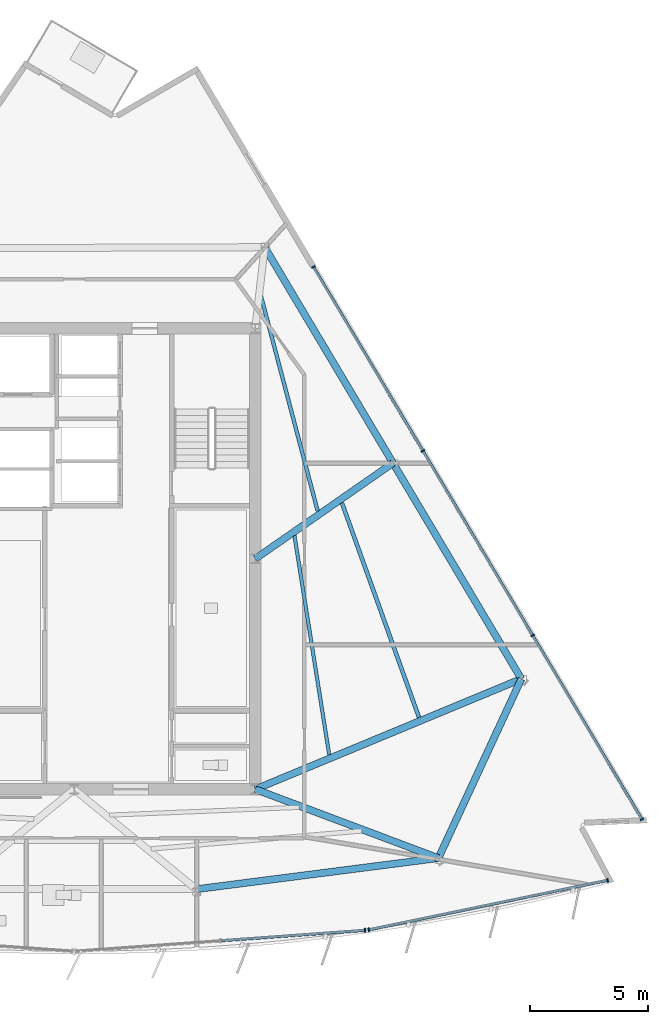
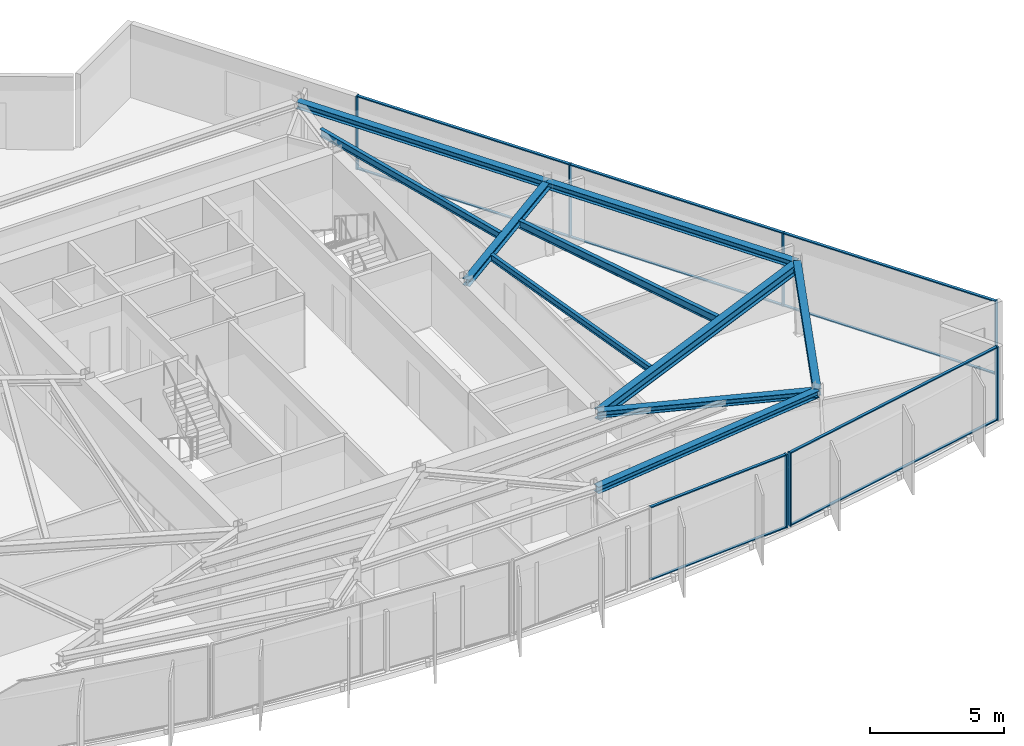
# One storey, part 5 of 12: 17 members, 10 beams, 3 elements without a shape of their own.
"""IFC4 building model written with IfcOpenShell, lengths in metres."""

from ifc_helpers import new_model, si_unit, direction, frame, origin, origin_2d, place, context, subcontext, project, spatial, rectangle, i_section, extrude, material, material_profile, profile_set, type_object, element, aggregate, save


model = new_model("IFC4")

# Units and contexts
model_context = context("Model", 3, precision=1e-05, world=origin(), true_north=direction((0.0, 1.0)))
body_context = subcontext(model_context, "Body", "Model", "MODEL_VIEW")
ifc_project = project(units=[si_unit("LENGTHUNIT", "METRE"), si_unit("AREAUNIT", "SQUARE_METRE"), si_unit("VOLUMEUNIT", "CUBIC_METRE"), si_unit("PLANEANGLEUNIT", "RADIAN"), si_unit("MASSUNIT", "GRAM", prefix="KILO")], contexts=[model_context])

# Site, building, storey
site_placement = place(None, origin())
site = spatial("IfcSite", under=ifc_project, at=site_placement, CompositionType="ELEMENT")
building_placement = place(site_placement, origin())
building = spatial("IfcBuilding", under=site, at=building_placement, Name="Savorim Split Tower", CompositionType="ELEMENT")
storey_placement = place(building_placement, frame((0.0, 0.0, 268.800048828125)))
storey = spatial("IfcBuildingStorey", under=building, at=storey_placement, Name="L71", CompositionType="ELEMENT", Elevation=268.800048828125)

# Beams
ifc_material_1 = material(Name="Steel S355", Category="steel")
ifc_material_profile_1 = material_profile(ifc_material_1, i_section(OverallWidth=0.14990234375, OverallDepth=0.300048828125, WebThickness=0.007080078125, FlangeThickness=0.0107421875, FilletRadius=0.014892578125, at=origin_2d()), Name="IPE 300")
ifc_profile_set_1 = profile_set([ifc_material_profile_1], Name="Steel S355")
beam_type_1 = type_object("IfcBeamType", Name="BM-JST-IPE300", PredefinedType="JOIST", material=ifc_profile_set_1)
beam_1_placement = place(storey_placement, frame((10.841796875, -7.92822265625, 3.199951171875), z_axis=(-0.156775163461, 0.987634319028, 0.0), x_axis=(-0.987634319028, -0.156775163461, 0.0)))
element("IfcBeam", 1, at=beam_1_placement, inside=storey, type_object=beam_type_1, Name="L71 Secondary Floor Joist JS-08", PredefinedType="JOIST", context=body_context, shape_type="SweptSolid", body=[
    extrude(i_section(OverallWidth=0.14990234375, OverallDepth=0.300048828125, WebThickness=0.007080078125, FlangeThickness=0.0107421875, FilletRadius=0.014892578125, at=origin_2d()), origin(), (0.0, 0.0, 1.0), 9.426025390625),
])
ifc_material_profile_2 = material_profile(ifc_material_1, i_section(OverallWidth=0.159912109375, OverallDepth=0.330078125, WebThickness=0.007568359375, FlangeThickness=0.011474609375, FilletRadius=0.01806640625, at=origin_2d()), Name="IPE 330")
ifc_profile_set_2 = profile_set([ifc_material_profile_2], Name="Steel S355")
beam_type_2 = type_object("IfcBeamType", Name="BM-JST-IPE330", PredefinedType="JOIST", material=ifc_profile_set_2)
beam_2_placement = place(storey_placement, frame((10.351806640625, 2.426513671875, 3.18505859375), z_axis=(-0.255115630211, 0.966910551821, 0.0), x_axis=(-0.966910551821, -0.255115630211, 0.0)))
element("IfcBeam", 2, at=beam_2_placement, inside=storey, type_object=beam_type_2, Name="L71 Secondary Floor Joist JS-07", PredefinedType="JOIST", context=body_context, shape_type="SweptSolid", body=[
    extrude(i_section(OverallWidth=0.159912109375, OverallDepth=0.330078125, WebThickness=0.007568359375, FlangeThickness=0.011474609375, FilletRadius=0.01806640625, at=origin_2d()), origin(), (0.0, 0.0, 1.0), 9.51904296875),
])
ifc_material_profile_3 = material_profile(ifc_material_1, i_section(OverallWidth=0.169921875, OverallDepth=0.360107421875, WebThickness=0.008056640625, FlangeThickness=0.0126953125, FilletRadius=0.01806640625, at=origin_2d()), Name="IPE 360")
ifc_profile_set_3 = profile_set([ifc_material_profile_3], Name="Steel S355")
beam_type_3 = type_object("IfcBeamType", Name="BM-JST-IPE360", PredefinedType="JOIST", material=ifc_profile_set_3)
beam_3_placement = place(storey_placement, frame((14.658447265625, -6.340087890625, 3.169921875), z_axis=(-0.338236406827, 0.94106117394, 0.0), x_axis=(-0.94106117394, -0.338236406827, 0.0)))
element("IfcBeam", 3, at=beam_3_placement, inside=storey, type_object=beam_type_3, Name="L71 Secondary Floor Joist JS-06", PredefinedType="JOIST", context=body_context, shape_type="SweptSolid", body=[
    extrude(i_section(OverallWidth=0.169921875, OverallDepth=0.360107421875, WebThickness=0.008056640625, FlangeThickness=0.0126953125, FilletRadius=0.01806640625, at=origin_2d()), origin(), (0.0, 0.0, 1.0), 9.68310546875),
])
ifc_material_profile_4 = material_profile(ifc_material_1, i_section(OverallWidth=0.300048828125, OverallDepth=0.300048828125, WebThickness=0.010986328125, FlangeThickness=0.01904296875, FilletRadius=0.027099609375, at=origin_2d()), Name="HEB 300")
ifc_profile_set_4 = profile_set([ifc_material_profile_4], Name="Steel S355")
beam_type_4 = type_object("IfcBeamType", Name="BM-PRI-HEB300", PredefinedType="BEAM", material=ifc_profile_set_4)
beam_4_placement = place(storey_placement, frame((15.4833984375, -12.326904296875, 3.199951171875), z_axis=(-0.9360042164, 0.351988788006, 0.0), x_axis=(-0.351988788006, -0.9360042164, 0.0)))
element("IfcBeam", 4, at=beam_4_placement, inside=storey, type_object=beam_type_4, Name="L71 Primary Floor Girder RG-04", PredefinedType="BEAM", context=body_context, shape_type="SweptSolid", body=[
    extrude(i_section(OverallWidth=0.300048828125, OverallDepth=0.300048828125, WebThickness=0.010986328125, FlangeThickness=0.01904296875, FilletRadius=0.027099609375, at=origin_2d()), origin(), (0.0, 0.0, 1.0), 8.315673828125),
])
beam_5_placement = place(storey_placement, frame((13.5537109375, 4.46923828125, 3.199951171875), z_axis=(-0.821092218297, -0.570795558017, 0.0), x_axis=(0.570795558017, -0.821092218297, 0.0)))
element("IfcBeam", 5, at=beam_5_placement, inside=storey, type_object=beam_type_4, Name="L71 Primary Floor Girder RG-06", PredefinedType="BEAM", context=body_context, shape_type="SweptSolid", body=[
    extrude(i_section(OverallWidth=0.300048828125, OverallDepth=0.300048828125, WebThickness=0.010986328125, FlangeThickness=0.01904296875, FilletRadius=0.027099609375, at=origin_2d()), origin(), (0.0, 0.0, 1.0), 7.129150390625),
])
ifc_material_profile_5 = material_profile(ifc_material_1, i_section(OverallWidth=0.300048828125, OverallDepth=0.449951171875, WebThickness=0.013916015625, FlangeThickness=0.02587890625, FilletRadius=0.027099609375, at=origin_2d()), Name="HEB 450")
ifc_profile_set_5 = profile_set([ifc_material_profile_5], Name="Steel S355")
beam_type_5 = type_object("IfcBeamType", Name="BM-PRI-HEB450", PredefinedType="BEAM", material=ifc_profile_set_5)
beam_6_placement = place(storey_placement, frame((19.010498046875, -4.707763671875, 3.125), z_axis=(-0.92367276187, -0.383182239906, 0.0), x_axis=(0.383182239906, -0.92367276187, 0.0)))
element("IfcBeam", 6, at=beam_6_placement, inside=storey, type_object=beam_type_5, Name="L71 Primary Floor Girder RG-05", PredefinedType="BEAM", context=body_context, shape_type="SweptSolid", body=[
    extrude(i_section(OverallWidth=0.300048828125, OverallDepth=0.449951171875, WebThickness=0.013916015625, FlangeThickness=0.02587890625, FilletRadius=0.027099609375, at=origin_2d()), origin(), (0.0, 0.0, 1.0), 12.2451171875),
])
ifc_material_profile_6 = material_profile(ifc_material_1, i_section(OverallWidth=0.300048828125, OverallDepth=0.31005859375, WebThickness=0.009033203125, FlangeThickness=0.015380859375, FilletRadius=0.027099609375, at=origin_2d()), Name="HEA 320")
ifc_profile_set_6 = profile_set([ifc_material_profile_6], Name="Steel S355")
beam_type_6 = type_object("IfcBeamType", Name="BM-SPN-HEA320", PredefinedType="SPANDREL", material=ifc_profile_set_6)
beam_7_placement = place(storey_placement, frame((5.189208984375, -13.6484375, 3.195068359375), z_axis=(0.991860196584, 0.127331655262, 0.0), x_axis=(-0.127331655262, 0.991860196584, 0.0)))
element("IfcBeam", 7, at=beam_7_placement, inside=storey, type_object=beam_type_6, Name="L71 Perimeter Spandrel Beam 3", PredefinedType="SPANDREL", context=body_context, shape_type="SweptSolid", body=[
    extrude(i_section(OverallWidth=0.300048828125, OverallDepth=0.31005859375, WebThickness=0.009033203125, FlangeThickness=0.015380859375, FilletRadius=0.027099609375, at=origin_2d()), origin(), (0.0, 0.0, 1.0), 10.378662109375),
])
beam_8_placement = place(storey_placement, frame((15.4833984375, -12.326904296875, 3.195068359375), z_axis=(0.42009607439, 0.907479635189, 0.0), x_axis=(-0.907479635189, 0.42009607439, 0.0)))
element("IfcBeam", 8, at=beam_8_placement, inside=storey, type_object=beam_type_6, Name="L71 Perimeter Spandrel Beam 4", PredefinedType="SPANDREL", context=body_context, shape_type="SweptSolid", body=[
    extrude(i_section(OverallWidth=0.300048828125, OverallDepth=0.31005859375, WebThickness=0.009033203125, FlangeThickness=0.015380859375, FilletRadius=0.027099609375, at=origin_2d()), origin(), (0.0, 0.0, 1.0), 8.39599609375),
])
beam_9_placement = place(storey_placement, frame((19.010498046875, -4.707763671875, 3.195068359375), z_axis=(-0.511088633901, 0.859528014841, 0.0), x_axis=(-0.859528014841, -0.511088633901, 0.0)))
element("IfcBeam", 9, at=beam_9_placement, inside=storey, type_object=beam_type_6, Name="L71 Perimeter Spandrel Beam 5", PredefinedType="SPANDREL", context=body_context, shape_type="SweptSolid", body=[
    extrude(i_section(OverallWidth=0.300048828125, OverallDepth=0.31005859375, WebThickness=0.009033203125, FlangeThickness=0.015380859375, FilletRadius=0.027099609375, at=origin_2d()), origin(), (0.0, 0.0, 1.0), 10.6767578125),
])
beam_10_placement = place(storey_placement, frame((13.5537109375, 4.46923828125, 3.195068359375), z_axis=(-0.511098679193, 0.859522041676, 0.0), x_axis=(-0.859522041676, -0.511098679193, 0.0)))
element("IfcBeam", 10, at=beam_10_placement, inside=storey, type_object=beam_type_6, Name="L71 Perimeter Spandrel Beam 6", PredefinedType="SPANDREL", context=body_context, shape_type="SweptSolid", body=[
    extrude(i_section(OverallWidth=0.300048828125, OverallDepth=0.31005859375, WebThickness=0.009033203125, FlangeThickness=0.015380859375, FilletRadius=0.027099609375, at=origin_2d()), origin(), (0.0, 0.0, 1.0), 10.676513671875),
])

# Curtain wall, member
ifc_material_2 = material(Name="Dark Ceramic-Fritted Insulated Glass", Category="glass")
curtain_wall_type = type_object("IfcCurtainWallType", Name="CW-TWR-FRIT-B", PredefinedType="NOTDEFINED", material=ifc_material_2)
curtain_wall_1_placement = place(storey_placement, origin())
curtain_wall_1 = element("IfcCurtainWall", 11, at=curtain_wall_1_placement, inside=storey, type_object=curtain_wall_type, Name="L71 Curtain Wall CW-L71-SF3", PredefinedType="NOTDEFINED")
ifc_material_3 = material(Name="Charcoal Anodised Aluminium", Category="aluminium")
ifc_material_profile_7 = material_profile(ifc_material_3, rectangle(XDim=0.159912109375, YDim=0.06005859375, at=origin_2d()), Name="ALU-M 160x60")
ifc_profile_set_7 = profile_set([ifc_material_profile_7], Name="Charcoal Anodised Aluminium")
member_type_1 = type_object("IfcMemberType", Name="CWM-160x60", PredefinedType="MULLION", material=ifc_profile_set_7)
member_1_placement = place(storey_placement, frame((12.362060546875, -15.39599609375, 0.0), z_axis=(0.0, 0.0, 1.0), x_axis=(-0.071562386711, 0.997436125678, 0.0)))
member_1 = element("IfcMember", 12, at=member_1_placement, type_object=member_type_1, Name="CW-03 mullion 3", PredefinedType="MULLION", context=body_context, shape_type="SweptSolid", body=[
    extrude(rectangle(XDim=0.159912109375, YDim=0.06005859375, at=origin_2d()), origin(), (0.0, 0.0, 1.0), 3.349853515625),
])

# Curtain wall, members
curtain_wall_2_placement = place(storey_placement, origin())
curtain_wall_2 = element("IfcCurtainWall", 13, at=curtain_wall_2_placement, inside=storey, type_object=curtain_wall_type, Name="L71 Curtain Wall CW-L71-SF4", PredefinedType="NOTDEFINED")
member_2_placement = place(storey_placement, frame((12.524169921875, -15.373291015625, 0.0), z_axis=(0.0, 0.0, 1.0), x_axis=(-0.20320761208, 0.979135673129, 0.0)))
member_2 = element("IfcMember", 14, at=member_2_placement, type_object=member_type_1, Name="CW-03 mullion 1", PredefinedType="MULLION", context=body_context, shape_type="SweptSolid", body=[
    extrude(rectangle(XDim=0.159912109375, YDim=0.06005859375, at=origin_2d()), origin(), (0.0, 0.0, 1.0), 3.349853515625),
])
member_3_placement = place(storey_placement, frame((22.677978515625, -13.26611328125, 0.0), z_axis=(0.0, 0.0, 1.0), x_axis=(-0.20320761208, 0.979135673129, 0.0)))
member_3 = element("IfcMember", 15, at=member_3_placement, type_object=member_type_1, Name="CW-03 mullion 2", PredefinedType="MULLION", context=body_context, shape_type="SweptSolid", body=[
    extrude(rectangle(XDim=0.159912109375, YDim=0.06005859375, at=origin_2d()), origin(), (0.0, 0.0, 1.0), 3.349853515625),
])

curtain_wall_3_placement = place(storey_placement, origin())
curtain_wall_3 = element("IfcCurtainWall", 16, at=curtain_wall_3_placement, inside=storey, type_object=curtain_wall_type, Name="L71 Curtain Wall CW-L71-EAST", PredefinedType="NOTDEFINED")
member_4_placement = place(storey_placement, frame((24.138427734375, -10.678955078125, 0.0), z_axis=(0.0, 0.0, 1.0), x_axis=(-0.859527043432, -0.511090267573, 0.0)))
member_4 = element("IfcMember", 17, at=member_4_placement, type_object=member_type_1, Name="CW-03 mullion 1", PredefinedType="MULLION", context=body_context, shape_type="SweptSolid", body=[
    extrude(rectangle(XDim=0.159912109375, YDim=0.06005859375, at=origin_2d()), origin(), (0.0, 0.0, 1.0), 3.349853515625),
])
member_5_placement = place(storey_placement, frame((19.48828125, -2.85888671875, 0.0), z_axis=(0.0, 0.0, 1.0), x_axis=(-0.859527043432, -0.511090267573, 0.0)))
member_5 = element("IfcMember", 18, at=member_5_placement, type_object=member_type_1, Name="CW-03 mullion 2", PredefinedType="MULLION", context=body_context, shape_type="SweptSolid", body=[
    extrude(rectangle(XDim=0.159912109375, YDim=0.06005859375, at=origin_2d()), origin(), (0.0, 0.0, 1.0), 3.349853515625),
])
member_6_placement = place(storey_placement, frame((14.822998046875, 4.987060546875, 0.0), z_axis=(0.0, 0.0, 1.0), x_axis=(-0.859527043432, -0.511090267573, 0.0)))
member_6 = element("IfcMember", 19, at=member_6_placement, type_object=member_type_1, Name="CW-03 mullion 3", PredefinedType="MULLION", context=body_context, shape_type="SweptSolid", body=[
    extrude(rectangle(XDim=0.159912109375, YDim=0.06005859375, at=origin_2d()), origin(), (0.0, 0.0, 1.0), 3.349853515625),
])
member_7_placement = place(storey_placement, frame((10.173095703125, 12.80712890625, 0.0), z_axis=(0.0, 0.0, 1.0), x_axis=(-0.859527043432, -0.511090267573, 0.0)))
member_7 = element("IfcMember", 20, at=member_7_placement, type_object=member_type_1, Name="CW-03 mullion 4", PredefinedType="MULLION", context=body_context, shape_type="SweptSolid", body=[
    extrude(rectangle(XDim=0.159912109375, YDim=0.06005859375, at=origin_2d()), origin(), (0.0, 0.0, 1.0), 3.349853515625),
])

# Member
ifc_material_profile_8 = material_profile(ifc_material_3, rectangle(XDim=0.1201171875, YDim=0.050048828125, at=origin_2d()), Name="ALU-T 120x50")
ifc_profile_set_8 = profile_set([ifc_material_profile_8], Name="Charcoal Anodised Aluminium")
member_type_2 = type_object("IfcMemberType", Name="CWT-120x50", PredefinedType="USERDEFINED", material=ifc_profile_set_8)
member_8_placement = place(storey_placement, frame((6.25146484375, -15.83447265625, 0.02490234375), z_axis=(0.997436085583, 0.071562945555, 0.0), x_axis=(-0.071562945555, 0.997436085583, 0.0)))
member_8 = element("IfcMember", 21, at=member_8_placement, type_object=member_type_2, Name="CW-03 transom 2.1", ObjectType="TRANSOM", PredefinedType="USERDEFINED", context=body_context, shape_type="SweptSolid", body=[
    extrude(rectangle(XDim=0.1201171875, YDim=0.050048828125, at=origin_2d()), origin(), (0.0, 0.0, 1.0), 6.096435546875),
])

member_9_placement = place(storey_placement, frame((6.25146484375, -15.83447265625, 3.324951171875), z_axis=(0.997436085583, 0.071562945555, 0.0), x_axis=(-0.071562945555, 0.997436085583, 0.0)))
member_9 = element("IfcMember", 22, at=member_9_placement, type_object=member_type_2, Name="CW-03 transom 2.2", ObjectType="TRANSOM", PredefinedType="USERDEFINED", context=body_context, shape_type="SweptSolid", body=[
    extrude(rectangle(XDim=0.1201171875, YDim=0.050048828125, at=origin_2d()), origin(), (0.0, 0.0, 1.0), 6.096435546875),
])

aggregate(curtain_wall_1, [member_1, member_8, member_9])

member_10_placement = place(storey_placement, frame((12.553466796875, -15.3671875, 0.02490234375), z_axis=(0.97913890437, 0.203192042041, 0.0), x_axis=(-0.203192042041, 0.97913890437, 0.0)))
member_10 = element("IfcMember", 23, at=member_10_placement, type_object=member_type_2, Name="CW-03 transom 1.1", ObjectType="TRANSOM", PredefinedType="USERDEFINED", context=body_context, shape_type="SweptSolid", body=[
    extrude(rectangle(XDim=0.1201171875, YDim=0.050048828125, at=origin_2d()), origin(), (0.0, 0.0, 1.0), 10.310302734375),
])

member_11_placement = place(storey_placement, frame((12.553466796875, -15.3671875, 3.324951171875), z_axis=(0.97913890437, 0.203192042041, 0.0), x_axis=(-0.203192042041, 0.97913890437, 0.0)))
member_11 = element("IfcMember", 24, at=member_11_placement, type_object=member_type_2, Name="CW-03 transom 1.2", ObjectType="TRANSOM", PredefinedType="USERDEFINED", context=body_context, shape_type="SweptSolid", body=[
    extrude(rectangle(XDim=0.1201171875, YDim=0.050048828125, at=origin_2d()), origin(), (0.0, 0.0, 1.0), 10.310302734375),
])

aggregate(curtain_wall_2, [member_2, member_3, member_10, member_11])

member_12_placement = place(storey_placement, frame((24.123046875, -10.6533203125, 0.02490234375), z_axis=(-0.511095349308, 0.859524021721, 0.0), x_axis=(-0.859524021721, -0.511095349308, 0.0)))
member_12 = element("IfcMember", 25, at=member_12_placement, type_object=member_type_2, Name="CW-03 transom 1.1", ObjectType="TRANSOM", PredefinedType="USERDEFINED", context=body_context, shape_type="SweptSolid", body=[
    extrude(rectangle(XDim=0.1201171875, YDim=0.050048828125, at=origin_2d()), origin(), (0.0, 0.0, 1.0), 9.0380859375),
])

member_13_placement = place(storey_placement, frame((24.123046875, -10.6533203125, 3.324951171875), z_axis=(-0.511095349308, 0.859524021721, 0.0), x_axis=(-0.859524021721, -0.511095349308, 0.0)))
member_13 = element("IfcMember", 26, at=member_13_placement, type_object=member_type_2, Name="CW-03 transom 1.2", ObjectType="TRANSOM", PredefinedType="USERDEFINED", context=body_context, shape_type="SweptSolid", body=[
    extrude(rectangle(XDim=0.1201171875, YDim=0.050048828125, at=origin_2d()), origin(), (0.0, 0.0, 1.0), 9.0380859375),
])

member_14_placement = place(storey_placement, frame((19.47314453125, -2.8330078125, 0.02490234375), z_axis=(-0.511106572679, 0.859517347913, 0.0), x_axis=(-0.859517347913, -0.511106572679, 0.0)))
member_14 = element("IfcMember", 27, at=member_14_placement, type_object=member_type_2, Name="CW-03 transom 2.1", ObjectType="TRANSOM", PredefinedType="USERDEFINED", context=body_context, shape_type="SweptSolid", body=[
    extrude(rectangle(XDim=0.1201171875, YDim=0.050048828125, at=origin_2d()), origin(), (0.0, 0.0, 1.0), 9.068115234375),
])

member_15_placement = place(storey_placement, frame((19.47314453125, -2.8330078125, 3.324951171875), z_axis=(-0.511106572679, 0.859517347913, 0.0), x_axis=(-0.859517347913, -0.511106572679, 0.0)))
member_15 = element("IfcMember", 28, at=member_15_placement, type_object=member_type_2, Name="CW-03 transom 2.2", ObjectType="TRANSOM", PredefinedType="USERDEFINED", context=body_context, shape_type="SweptSolid", body=[
    extrude(rectangle(XDim=0.1201171875, YDim=0.050048828125, at=origin_2d()), origin(), (0.0, 0.0, 1.0), 9.068115234375),
])

member_16_placement = place(storey_placement, frame((14.8076171875, 5.012939453125, 0.02490234375), z_axis=(-0.511075392877, 0.859535888021, 0.0), x_axis=(-0.859535888021, -0.511075392877, 0.0)))
member_16 = element("IfcMember", 29, at=member_16_placement, type_object=member_type_2, Name="CW-03 transom 3.1", ObjectType="TRANSOM", PredefinedType="USERDEFINED", context=body_context, shape_type="SweptSolid", body=[
    extrude(rectangle(XDim=0.1201171875, YDim=0.050048828125, at=origin_2d()), origin(), (0.0, 0.0, 1.0), 9.0380859375),
])

member_17_placement = place(storey_placement, frame((14.8076171875, 5.012939453125, 3.324951171875), z_axis=(-0.511075392877, 0.859535888021, 0.0), x_axis=(-0.859535888021, -0.511075392877, 0.0)))
member_17 = element("IfcMember", 30, at=member_17_placement, type_object=member_type_2, Name="CW-03 transom 3.2", ObjectType="TRANSOM", PredefinedType="USERDEFINED", context=body_context, shape_type="SweptSolid", body=[
    extrude(rectangle(XDim=0.1201171875, YDim=0.050048828125, at=origin_2d()), origin(), (0.0, 0.0, 1.0), 9.0380859375),
])

aggregate(curtain_wall_3, [member_4, member_5, member_6, member_7, member_12, member_13, member_14, member_15, member_16, member_17])

save(model, "model.ifc")
